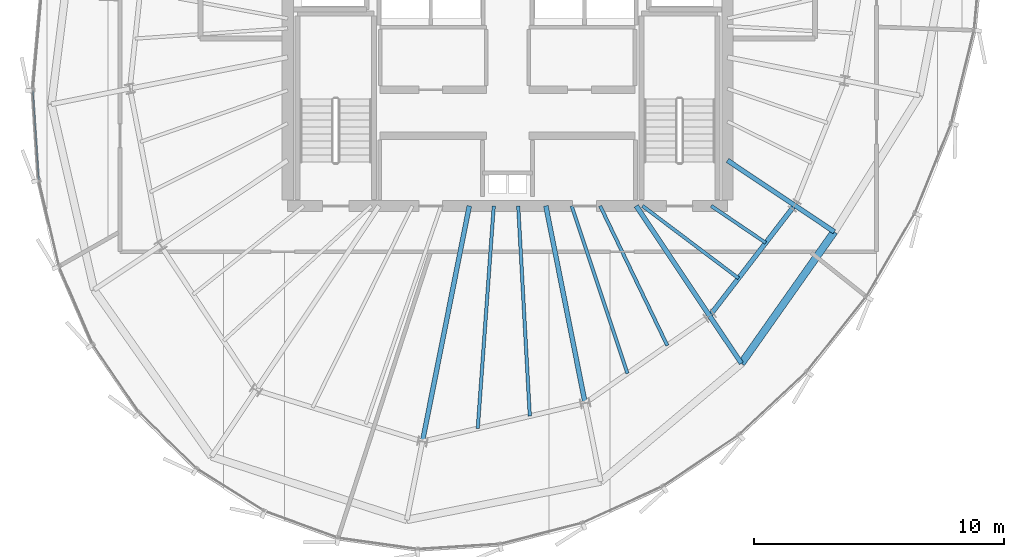
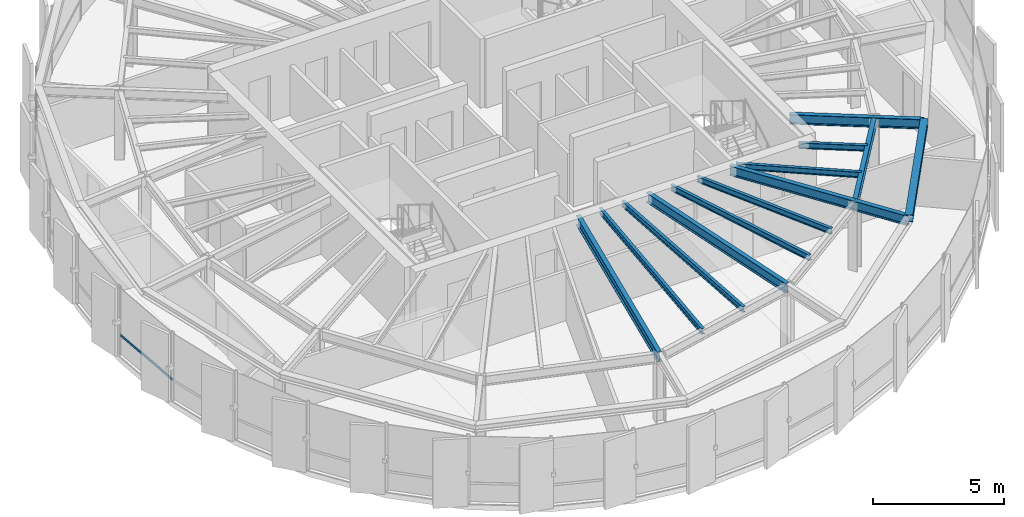
# One storey, part 9 of 31: 14 beams, 1 member, 1 element without a shape of its own.
"""IFC4 building model written with IfcOpenShell, lengths in metres."""

from ifc_helpers import new_model, si_unit, direction, frame, origin, origin_2d, place, context, subcontext, project, spatial, hollow_rectangle, i_section, extrude, source, transform, mapped, material, layer, layer_set, material_profile, profile_set, type_object, element, aggregate, save


model = new_model("IFC4")

# Units and contexts
model_context = context("Model", 3, precision=1e-05, world=origin(), true_north=direction((0.0, 1.0)))
body_context = subcontext(model_context, "Body", "Model", "MODEL_VIEW")
ifc_project = project(units=[si_unit("LENGTHUNIT", "METRE"), si_unit("AREAUNIT", "SQUARE_METRE"), si_unit("VOLUMEUNIT", "CUBIC_METRE"), si_unit("PLANEANGLEUNIT", "RADIAN"), si_unit("MASSUNIT", "GRAM", prefix="KILO"), si_unit("THERMODYNAMICTEMPERATUREUNIT", "KELVIN")], contexts=[model_context])

# Site, building, storey
site_placement = place(None, origin())
site = spatial("IfcSite", under=ifc_project, at=site_placement, CompositionType="ELEMENT")
building_placement = place(site_placement, origin())
building = spatial("IfcBuilding", under=site, at=building_placement, Name="Kethvar Cultural Tower", CompositionType="ELEMENT")
storey_placement = place(building_placement, frame((0.0, 0.0, 290.5)))
storey = spatial("IfcBuildingStorey", under=building, at=storey_placement, Name="L77", CompositionType="ELEMENT", Elevation=290.5)

# Beams
ifc_material_1 = material(Name="Steel S355J2", Category="steel")
ifc_material_profile_1 = material_profile(ifc_material_1, i_section(OverallWidth=0.18994140625, OverallDepth=0.449951171875, WebThickness=0.009521484375, FlangeThickness=0.0146484375, FilletRadius=0.02099609375, at=origin_2d()), Name="Steel S355J2 — IPE450")
ifc_profile_set_1 = profile_set([ifc_material_profile_1], Name="Steel S355J2 — IPE450")
beam_type_1 = type_object("IfcBeamType", Name="BM-IPE450", PredefinedType="BEAM", material=ifc_profile_set_1)
shared_shape_1 = source(origin(), body_context, "Body", "SweptSolid", [
    extrude(i_section(OverallWidth=0.18994140625, OverallDepth=0.449951171875, WebThickness=0.009521484375, FlangeThickness=0.0146484375, FilletRadius=0.02099609375, at=origin_2d()), origin(), (0.0, 0.0, 1.0), 9.613525390625),
])
beam_1_placement = place(storey_placement, frame((45.268310546875, 20.10009765625, 2.98291015625), z_axis=(-0.195090428816, -0.980785259159, 0.0), x_axis=(0.980785259159, -0.195090428816, 0.0)))
element("IfcBeam", 1, at=beam_1_placement, inside=storey, type_object=beam_type_1, Name="L77 Primary Radial Beam RB-12", PredefinedType="BEAM", context=body_context, shape_type="MappedRepresentation", body=[
    mapped(shared_shape_1, transform((0.0, 0.0, 0.0), scale=1.0)),
])
shared_shape_2 = source(origin(), body_context, "Body", "SweptSolid", [
    extrude(i_section(OverallWidth=0.18994140625, OverallDepth=0.449951171875, WebThickness=0.009521484375, FlangeThickness=0.0146484375, FilletRadius=0.02099609375, at=origin_2d()), origin(), (0.0, 0.0, 1.0), 8.0478515625),
])
beam_2_placement = place(storey_placement, frame((48.33154296875, 20.10009765625, 2.98291015625), z_axis=(0.195089278796, -0.980785487912, 0.0), x_axis=(0.980785487912, 0.195089278796, 0.0)))
element("IfcBeam", 2, at=beam_2_placement, inside=storey, type_object=beam_type_1, Name="L77 Primary Radial Beam RB-13", PredefinedType="BEAM", context=body_context, shape_type="MappedRepresentation", body=[
    mapped(shared_shape_2, transform((0.0, 0.0, 0.0), scale=1.0)),
])
shared_shape_3 = source(origin(), body_context, "Body", "SweptSolid", [
    extrude(i_section(OverallWidth=0.18994140625, OverallDepth=0.449951171875, WebThickness=0.009521484375, FlangeThickness=0.0146484375, FilletRadius=0.02099609375, at=origin_2d()), origin(), (0.0, 0.0, 1.0), 5.291748046875),
])
beam_3_placement = place(storey_placement, frame((51.945068359375, 20.10009765625, 2.98291015625), z_axis=(0.555572931011, -0.831467809556, 0.0), x_axis=(0.831467809556, 0.555572931011, 0.0)))
element("IfcBeam", 3, at=beam_3_placement, inside=storey, type_object=beam_type_1, Name="L77 Primary Radial Beam RB-14", PredefinedType="BEAM", context=body_context, shape_type="MappedRepresentation", body=[
    mapped(shared_shape_3, transform((0.0, 0.0, 0.0), scale=1.0)),
])
shared_shape_4 = source(origin(), body_context, "Body", "SweptSolid", [
    extrude(i_section(OverallWidth=0.18994140625, OverallDepth=0.449951171875, WebThickness=0.009521484375, FlangeThickness=0.0146484375, FilletRadius=0.02099609375, at=origin_2d()), origin(), (0.0, 0.0, 1.0), 3.231689453125),
])
beam_4_placement = place(storey_placement, frame((55.60009765625, 21.919921875, 2.98291015625), z_axis=(0.831468708055, -0.55557158632, 0.0), x_axis=(0.55557158632, 0.831468708055, 0.0)))
element("IfcBeam", 4, at=beam_4_placement, inside=storey, type_object=beam_type_1, Name="L77 Primary Radial Beam RB-15", PredefinedType="BEAM", context=body_context, shape_type="MappedRepresentation", body=[
    mapped(shared_shape_4, transform((0.0, 0.0, 0.0), scale=1.0)),
])
ifc_material_profile_2 = material_profile(ifc_material_1, i_section(OverallWidth=0.135009765625, OverallDepth=0.27001953125, WebThickness=0.006591796875, FlangeThickness=0.01025390625, FilletRadius=0.014892578125, at=origin_2d()), Name="Steel S355J2 — IPE270")
ifc_profile_set_2 = profile_set([ifc_material_profile_2], Name="Steel S355J2 — IPE270")
beam_type_2 = type_object("IfcBeamType", Name="BM-J270", PredefinedType="JOIST", material=ifc_profile_set_2)
shared_shape_5 = source(origin(), body_context, "Body", "SweptSolid", [
    extrude(i_section(OverallWidth=0.135009765625, OverallDepth=0.27001953125, WebThickness=0.006591796875, FlangeThickness=0.01025390625, FilletRadius=0.014892578125, at=origin_2d()), origin(), (0.0, 0.0, 1.0), 8.9296875),
])
beam_5_placement = place(storey_placement, frame((46.246337890625, 20.10009765625, 3.072998046875), z_axis=(-0.071713352262, -0.99742528297, 0.0), x_axis=(0.99742528297, -0.071713352262, 0.0)))
element("IfcBeam", 5, at=beam_5_placement, inside=storey, type_object=beam_type_2, Name="L77 Composite Floor Joist J-12A", PredefinedType="JOIST", context=body_context, shape_type="MappedRepresentation", body=[
    mapped(shared_shape_5, transform((0.0, 0.0, 0.0), scale=1.0)),
])
shared_shape_6 = source(origin(), body_context, "Body", "SweptSolid", [
    extrude(i_section(OverallWidth=0.135009765625, OverallDepth=0.27001953125, WebThickness=0.006591796875, FlangeThickness=0.01025390625, FilletRadius=0.014892578125, at=origin_2d()), origin(), (0.0, 0.0, 1.0), 8.427978515625),
])
beam_6_placement = place(storey_placement, frame((47.224609375, 20.10009765625, 3.072998046875), z_axis=(0.055067321535, -0.998482643865, 0.0), x_axis=(0.998482643865, 0.055067321535, 0.0)))
element("IfcBeam", 6, at=beam_6_placement, inside=storey, type_object=beam_type_2, Name="L77 Composite Floor Joist J-12B", PredefinedType="JOIST", context=body_context, shape_type="MappedRepresentation", body=[
    mapped(shared_shape_6, transform((0.0, 0.0, 0.0), scale=1.0)),
])
shared_shape_7 = source(origin(), body_context, "Body", "SweptSolid", [
    extrude(i_section(OverallWidth=0.135009765625, OverallDepth=0.27001953125, WebThickness=0.006591796875, FlangeThickness=0.01025390625, FilletRadius=0.014892578125, at=origin_2d()), origin(), (0.0, 0.0, 1.0), 7.0673828125),
])
beam_7_placement = place(storey_placement, frame((49.363525390625, 20.10009765625, 3.072998046875), z_axis=(0.315875389768, -0.948800684095, 0.0), x_axis=(0.948800684095, 0.315875389768, 0.0)))
element("IfcBeam", 7, at=beam_7_placement, inside=storey, type_object=beam_type_2, Name="L77 Composite Floor Joist J-13A", PredefinedType="JOIST", context=body_context, shape_type="MappedRepresentation", body=[
    mapped(shared_shape_7, transform((0.0, 0.0, 0.0), scale=1.0)),
])
shared_shape_8 = source(origin(), body_context, "Body", "SweptSolid", [
    extrude(i_section(OverallWidth=0.135009765625, OverallDepth=0.27001953125, WebThickness=0.006591796875, FlangeThickness=0.01025390625, FilletRadius=0.014892578125, at=origin_2d()), origin(), (0.0, 0.0, 1.0), 6.2001953125),
])
beam_8_placement = place(storey_placement, frame((50.50341796875, 20.10009765625, 3.072998046875), z_axis=(0.433410678328, -0.901196529017, 0.0), x_axis=(0.901196529017, 0.433410678328, 0.0)))
element("IfcBeam", 8, at=beam_8_placement, inside=storey, type_object=beam_type_2, Name="L77 Composite Floor Joist J-13B", PredefinedType="JOIST", context=body_context, shape_type="MappedRepresentation", body=[
    mapped(shared_shape_8, transform((0.0, 0.0, 0.0), scale=1.0)),
])
shared_shape_9 = source(origin(), body_context, "Body", "SweptSolid", [
    extrude(i_section(OverallWidth=0.18994140625, OverallDepth=0.449951171875, WebThickness=0.009521484375, FlangeThickness=0.0146484375, FilletRadius=0.02099609375, at=origin_2d()), origin(), (0.0, 0.0, 1.0), 5.5810546875),
])
beam_9_placement = place(storey_placement, frame((54.885009765625, 15.7001953125, 2.98291015625), z_axis=(0.60957334008, 0.79272967843, 0.0), x_axis=(-0.79272967843, 0.60957334008, 0.0)))
element("IfcBeam", 9, at=beam_9_placement, inside=storey, type_object=beam_type_1, Name="L77 Column Ring Tie Beam CR-14", PredefinedType="BEAM", context=body_context, shape_type="MappedRepresentation", body=[
    mapped(shared_shape_9, transform((0.0, 0.0, 0.0), scale=1.0)),
])
shared_shape_10 = source(origin(), body_context, "Body", "SweptSolid", [
    extrude(i_section(OverallWidth=0.135009765625, OverallDepth=0.27001953125, WebThickness=0.006591796875, FlangeThickness=0.01025390625, FilletRadius=0.014892578125, at=origin_2d()), origin(), (0.0, 0.0, 1.0), 4.810791015625),
])
beam_10_placement = place(storey_placement, frame((52.199951171875, 20.10009765625, 3.072998046875), z_axis=(0.798542152732, -0.601938892505, 0.0), x_axis=(0.601938892505, 0.798542152732, 0.0)))
element("IfcBeam", 10, at=beam_10_placement, inside=storey, type_object=beam_type_2, Name="L77 Composite Floor Joist J-14A", PredefinedType="JOIST", context=body_context, shape_type="MappedRepresentation", body=[
    mapped(shared_shape_10, transform((0.0, 0.0, 0.0), scale=1.0)),
])
shared_shape_11 = source(origin(), body_context, "Body", "SweptSolid", [
    extrude(i_section(OverallWidth=0.135009765625, OverallDepth=0.27001953125, WebThickness=0.006591796875, FlangeThickness=0.01025390625, FilletRadius=0.014892578125, at=origin_2d()), origin(), (0.0, 0.0, 1.0), 2.635009765625),
])
beam_11_placement = place(storey_placement, frame((54.949951171875, 20.10009765625, 3.072998046875), z_axis=(0.827446562598, -0.561544464887, 0.0), x_axis=(0.561544464887, 0.827446562598, 0.0)))
element("IfcBeam", 11, at=beam_11_placement, inside=storey, type_object=beam_type_2, Name="L77 Composite Floor Joist J-14B", PredefinedType="JOIST", context=body_context, shape_type="MappedRepresentation", body=[
    mapped(shared_shape_11, transform((0.0, 0.0, 0.0), scale=1.0)),
])
shared_shape_12 = source(origin(), body_context, "Body", "SweptSolid", [
    extrude(i_section(OverallWidth=0.18994140625, OverallDepth=0.449951171875, WebThickness=0.009521484375, FlangeThickness=0.0146484375, FilletRadius=0.02099609375, at=origin_2d()), origin(), (0.0, 0.0, 1.0), 2.290283203125),
])
beam_12_placement = place(storey_placement, frame((54.885009765625, 15.7001953125, 2.98291015625), z_axis=(0.555511760194, -0.831508679622, 0.0), x_axis=(0.831508679622, 0.555511760194, 0.0)))
element("IfcBeam", 12, at=beam_12_placement, inside=storey, type_object=beam_type_1, Name="L77 Perimeter Cantilever Beam RC-14", PredefinedType="BEAM", context=body_context, shape_type="MappedRepresentation", body=[
    mapped(shared_shape_12, transform((0.0, 0.0, 0.0), scale=1.0)),
])
shared_shape_13 = source(origin(), body_context, "Body", "SweptSolid", [
    extrude(i_section(OverallWidth=0.18994140625, OverallDepth=0.449951171875, WebThickness=0.009521484375, FlangeThickness=0.0146484375, FilletRadius=0.02099609375, at=origin_2d()), origin(), (0.0, 0.0, 1.0), 1.908203125),
])
beam_13_placement = place(storey_placement, frame((58.287109375, 20.12451171875, 2.98291015625), z_axis=(0.831498746426, -0.555526628248, 0.0), x_axis=(0.555526628248, 0.831498746426, 0.0)))
element("IfcBeam", 13, at=beam_13_placement, inside=storey, type_object=beam_type_1, Name="L77 Perimeter Cantilever Beam RC-15", PredefinedType="BEAM", context=body_context, shape_type="MappedRepresentation", body=[
    mapped(shared_shape_13, transform((0.0, 0.0, 0.0), scale=1.0)),
])
ifc_material_profile_3 = material_profile(ifc_material_1, i_section(OverallWidth=0.300048828125, OverallDepth=0.320068359375, WebThickness=0.011474609375, FlangeThickness=0.0205078125, FilletRadius=0.027099609375, at=origin_2d()), Name="Steel S355J2 — HEB320")
ifc_profile_set_3 = profile_set([ifc_material_profile_3], Name="Steel S355J2 — HEB320")
beam_type_3 = type_object("IfcBeamType", Name="BM-SP320", PredefinedType="SPANDREL", material=ifc_profile_set_3)
shared_shape_14 = source(origin(), body_context, "Body", "SweptSolid", [
    extrude(i_section(OverallWidth=0.300048828125, OverallDepth=0.320068359375, WebThickness=0.011474609375, FlangeThickness=0.0205078125, FilletRadius=0.027099609375, at=origin_2d()), origin(), (0.0, 0.0, 1.0), 6.447509765625),
])
beam_14_placement = place(storey_placement, frame((56.1572265625, 13.7958984375, 3.048095703125), z_axis=(0.576431926438, 0.81714517326, 0.0), x_axis=(-0.81714517326, 0.576431926438, 0.0)))
element("IfcBeam", 14, at=beam_14_placement, inside=storey, type_object=beam_type_3, Name="L77 Perimeter Spandrel Beam SP-14", PredefinedType="SPANDREL", context=body_context, shape_type="MappedRepresentation", body=[
    mapped(shared_shape_14, transform((0.0, 0.0, 0.0), scale=1.0)),
])

# Curtain wall, member
ifc_material_2 = material(Name="Aluminium 6063-T6", Category="aluminium")
ifc_layer = layer(ifc_material_2, 0.179931640625, Name="Aluminium 6063-T6", Category="aluminium")
ifc_layer_set = layer_set([ifc_layer], Name="Aluminium 6063-T6 (180 mm)")
curtain_wall_type = type_object("IfcCurtainWallType", Name="CW-SYS-05-Z56", PredefinedType="NOTDEFINED", material=ifc_layer_set)
curtain_wall_placement = place(storey_placement, origin())
curtain_wall = element("IfcCurtainWall", 15, at=curtain_wall_placement, inside=storey, type_object=curtain_wall_type, Name="L77 Curtain Wall Run 03", PredefinedType="NOTDEFINED")
ifc_material_profile_4 = material_profile(ifc_material_2, hollow_rectangle(XDim=0.050048828125, YDim=0.10009765625, WallThickness=0.00390625, at=origin_2d()), Name="Aluminium 6063-T6 — RHS100x50x4")
ifc_profile_set_4 = profile_set([ifc_material_profile_4], Name="Aluminium 6063-T6 — RHS100x50x4")
member_type = type_object("IfcMemberType", Name="CW-SYS-05-Z56-TRN", PredefinedType="USERDEFINED", material=ifc_profile_set_4)
shared_shape_15 = source(origin(), body_context, "Body", "SweptSolid", [
    extrude(hollow_rectangle(XDim=0.050048828125, YDim=0.10009765625, WallThickness=0.00390625, at=origin_2d()), origin(), (0.0, 0.0, 1.0), 3.5869140625),
])
member_placement = place(storey_placement, frame((27.8076171875, 24.723388671875, 0.949951171875), z_axis=(0.065479907246, -0.997853887975, 0.0), x_axis=(0.997853887975, 0.065479907246, 0.0)))
member = element("IfcMember", 16, at=member_placement, type_object=member_type, Name="CW-L77-R03 Transom 1", ObjectType="TRANSOM", PredefinedType="USERDEFINED", context=body_context, shape_type="MappedRepresentation", body=[
    mapped(shared_shape_15, transform((0.0, 0.0, 0.0), scale=1.0)),
])
aggregate(curtain_wall, [member])

save(model, "model.ifc")
